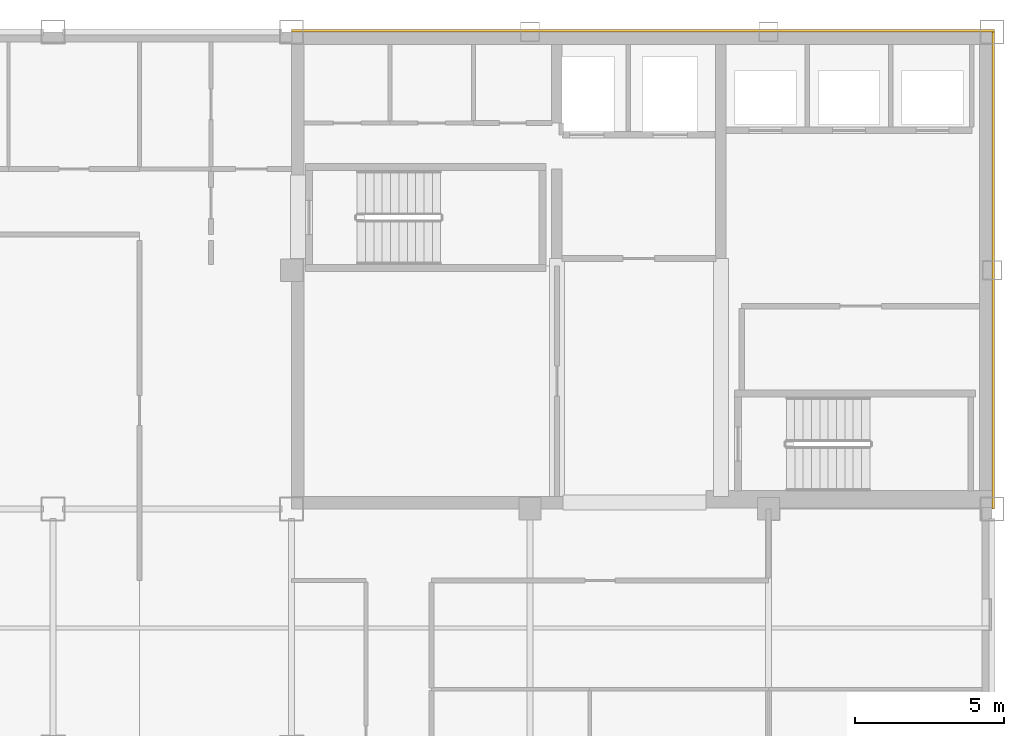
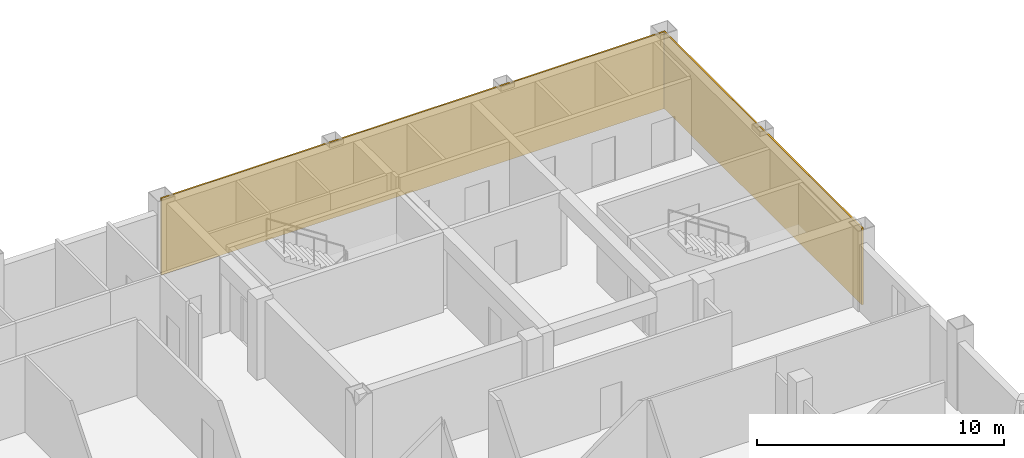
# One storey, part 7 of 7: 2 coverings.
"""IFC4 building model written with IfcOpenShell, lengths in metres."""

from ifc_helpers import new_model, si_unit, direction, frame, origin, origin_2d, place, context, subcontext, project, spatial, rectangle, extrude, material, layer, layer_set, type_object, element, save


model = new_model("IFC4")

# Units and contexts
model_context = context("Model", 3, precision=1e-05, world=origin(), true_north=direction((0.0, 1.0)))
body_context = subcontext(model_context, "Body", "Model", "MODEL_VIEW")
ifc_project = project(units=[si_unit("LENGTHUNIT", "METRE"), si_unit("AREAUNIT", "SQUARE_METRE"), si_unit("VOLUMEUNIT", "CUBIC_METRE"), si_unit("PLANEANGLEUNIT", "RADIAN"), si_unit("MASSUNIT", "GRAM", prefix="KILO")], contexts=[model_context])

# Site, building, storey
site_placement = place(None, origin())
site = spatial("IfcSite", under=ifc_project, at=site_placement, CompositionType="ELEMENT")
building_placement = place(site_placement, origin())
building = spatial("IfcBuilding", under=site, at=building_placement, Name="Qianrong Seaharbour Tower", CompositionType="ELEMENT")
storey_placement = place(building_placement, frame((0.0, 0.0, 351.199951171875)))
storey = spatial("IfcBuildingStorey", under=building, at=storey_placement, Name="L85", CompositionType="ELEMENT", Elevation=351.199951171875)

# Coverings
ifc_material = material(Name="Unitised red brick cladding on Precast concrete C45/55", Category="masonry")
ifc_layer = layer(ifc_material, 0.080078125)
ifc_layer_set = layer_set([ifc_layer], Name="Unitised red brick cladding on Precast concrete C45/55")
covering_type = type_object("IfcCoveringType", Name="COV-CLAD-RED-BRICK-80", PredefinedType="CLADDING", material=ifc_layer_set)
covering_1_placement = place(storey_placement, frame((52.2900390625, 52.0400390625, 0.0), z_axis=(0.0, 0.0, 1.0), x_axis=(1.0, 0.0, 0.0)))
element("IfcCovering", 1, at=covering_1_placement, inside=storey, type_object=covering_type, Name="L85 North Core Brick Veneer Cladding", PredefinedType="CLADDING", context=body_context, shape_type="SweptSolid", body=[
    extrude(rectangle(XDim=23.580078125, YDim=0.080078125, at=origin_2d()), origin(), (0.0, 0.0, 1.0), 3.784912109375),
])
covering_2_placement = place(storey_placement, frame((64.0400390625, 44.0, 0.0), z_axis=(0.0, 0.0, 1.0), x_axis=(1.0, 0.0, 0.0)))
element("IfcCovering", 2, at=covering_2_placement, inside=storey, type_object=covering_type, Name="L85 East Core Brick Veneer Cladding", PredefinedType="CLADDING", context=body_context, shape_type="SweptSolid", body=[
    extrude(rectangle(XDim=0.080078125, YDim=16.0, at=origin_2d()), origin(), (0.0, 0.0, 1.0), 3.784912109375),
])

save(model, "model.ifc")
